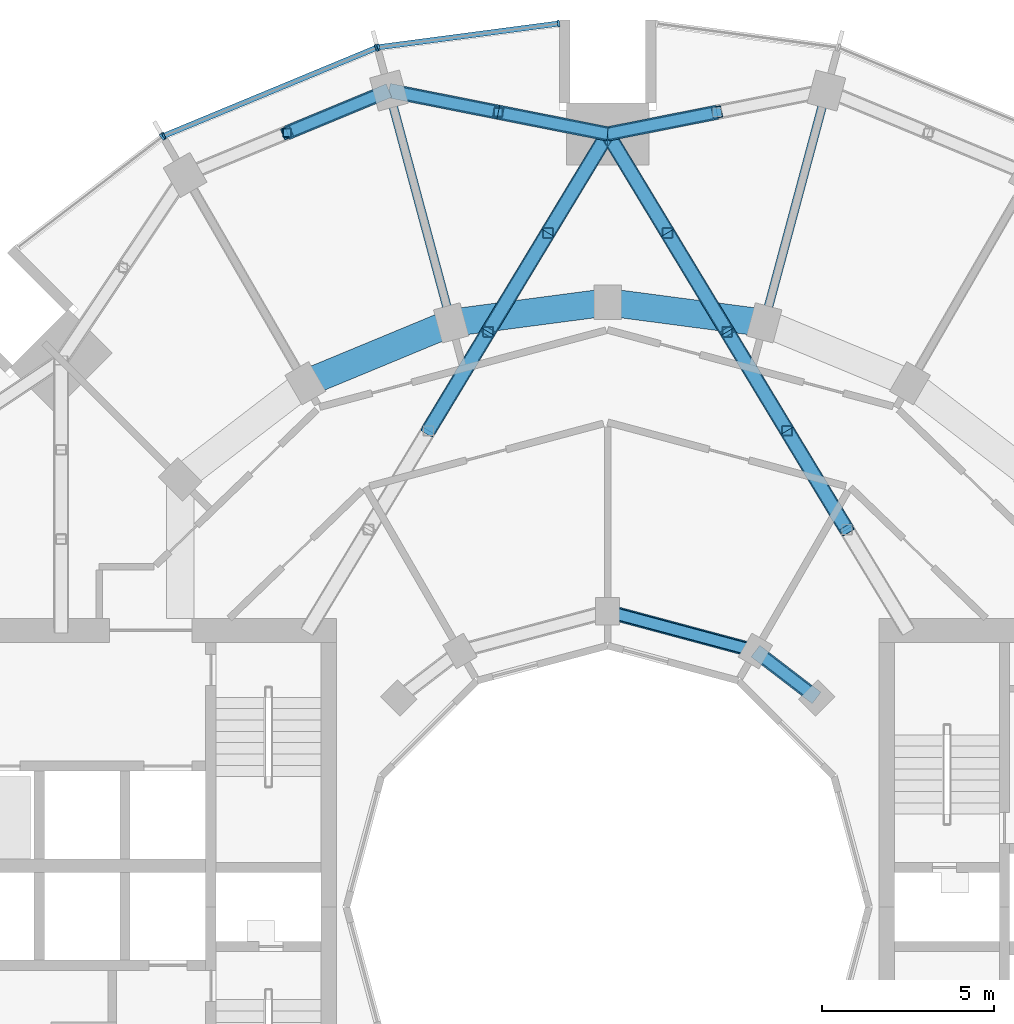
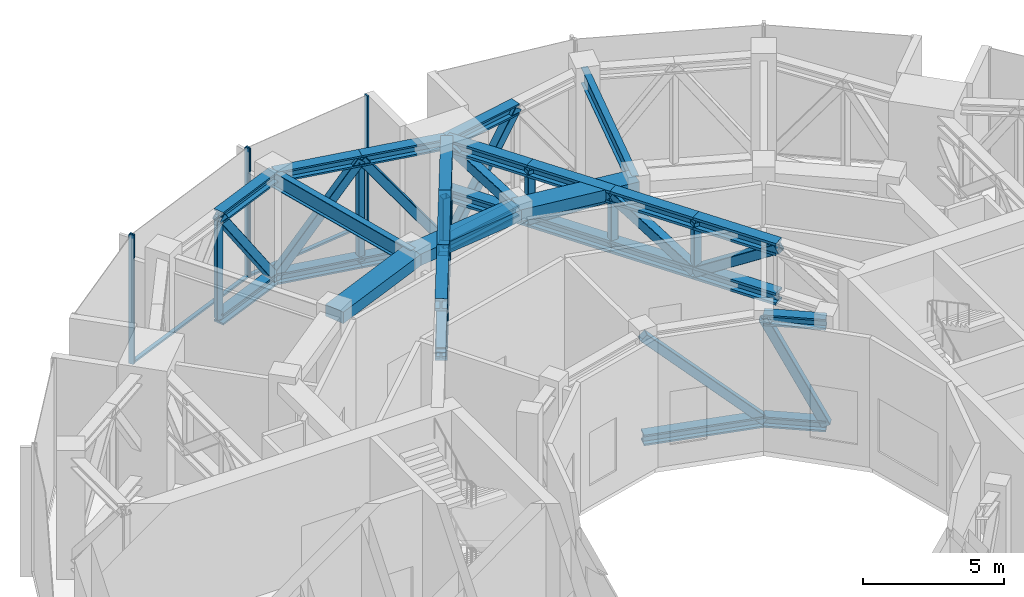
# One storey, part 8 of 18: 52 members, 5 beams, 3 elements without a shape of their own.
"""IFC4 building model written with IfcOpenShell, lengths in metres."""

from ifc_helpers import new_model, si_unit, direction, frame, origin, origin_2d, place, context, subcontext, project, spatial, rectangle, hollow_rectangle, i_section, extrude, material, layer, layer_set, material_profile, profile_set, type_object, element, aggregate, save


model = new_model("IFC4")

# Units and contexts
model_context = context("Model", 3, precision=1e-05, world=origin(), true_north=direction((0.0, 1.0)))
body_context = subcontext(model_context, "Body", "Model", "MODEL_VIEW")
ifc_project = project(units=[si_unit("LENGTHUNIT", "METRE"), si_unit("AREAUNIT", "SQUARE_METRE"), si_unit("VOLUMEUNIT", "CUBIC_METRE"), si_unit("PLANEANGLEUNIT", "RADIAN"), si_unit("MASSUNIT", "GRAM", prefix="KILO")], contexts=[model_context])

# Site, building, storey
site_placement = place(None, origin())
site = spatial("IfcSite", under=ifc_project, at=site_placement, CompositionType="ELEMENT")
building_placement = place(site_placement, origin())
building = spatial("IfcBuilding", under=site, at=building_placement, Name="Torre Brocal", CompositionType="ELEMENT")
storey_placement = place(building_placement, frame((0.0, 0.0, 109.0)))
storey = spatial("IfcBuildingStorey", under=building, at=storey_placement, Name="L25", CompositionType="ELEMENT", Elevation=109.0)

# Members
ifc_material_1 = material(Name="Steel A500 Grade C", Category="steel")
ifc_material_profile_1 = material_profile(ifc_material_1, hollow_rectangle(XDim=0.25390625, YDim=0.25390625, WallThickness=0.01171875, InnerFilletRadius=0.01171875, OuterFilletRadius=0.023681640625, at=origin_2d()), Name="HSS10X10X1/2")
ifc_profile_set_1 = profile_set([ifc_material_profile_1], Name="Steel A500 Grade C")
member_type_1 = type_object("IfcMemberType", Name="BELT 1 POST HSS10X10X1/2", PredefinedType="POST", material=ifc_profile_set_1)
for number, where, z_axis, x_axis, name in (
    (1, (76.81640625, 98.130859375, 0.63232421875), (0.0, 0.0, 1.0), (1.0, 0.0, 0.0), "Member BT1-P05"),
    (2, (70.66650390625, 97.532958984375, 0.63232421875), (0.0, 0.0, 1.0), (1.0, 0.0, 0.0), "Member BT1-P06"),
):
    element("IfcMember", number, at=place(storey_placement, frame(where, z_axis=z_axis, x_axis=x_axis)), inside=storey, type_object=member_type_1, Name=name, PredefinedType="POST", context=body_context, shape_type="SweptSolid", body=[
        extrude(hollow_rectangle(XDim=0.25390625, YDim=0.25390625, WallThickness=0.01171875, InnerFilletRadius=0.01171875, OuterFilletRadius=0.023681640625, at=origin_2d()), origin(), (0.0, 0.0, 1.0), 4.415283203125),
    ])

# Curtain wall, members
ifc_material_2 = material(Name="Aluminium and glass", Category="aluminium")
ifc_layer = layer(ifc_material_2, 0.199951171875)
ifc_layer_set = layer_set([ifc_layer], Name="Aluminium and glass")
curtain_wall_type = type_object("IfcCurtainWallType", Name="CW-1 CURTAIN WALL 5600 HIGH", PredefinedType="NOTDEFINED", material=ifc_layer_set)
curtain_wall_1_placement = place(storey_placement, origin())
curtain_wall_1 = element("IfcCurtainWall", 3, at=curtain_wall_1_placement, inside=storey, type_object=curtain_wall_type, Name="CW-1 RUN 7", PredefinedType="NOTDEFINED")
ifc_material_3 = material(Name="Aluminium, dark anodised", Category="aluminium")
ifc_material_profile_2 = material_profile(ifc_material_3, rectangle(XDim=0.199951171875, YDim=0.06005859375, at=origin_2d()), Name="CW-1 MULLION 60X200")
ifc_profile_set_2 = profile_set([ifc_material_profile_2], Name="Aluminium, dark anodised")
member_type_2 = type_object("IfcMemberType", Name="CW-1 MULLION 60X200", PredefinedType="MULLION", material=ifc_profile_set_2)
member_1_placement = place(storey_placement, frame((78.5703125, 100.7109375, 0.0), z_axis=(0.0, 0.0, 1.0), x_axis=(0.13052619222, -0.991444861374, 0.0)))
member_1 = element("IfcMember", 4, at=member_1_placement, type_object=member_type_2, Name="CW1-2 mullion 1", PredefinedType="MULLION", context=body_context, shape_type="SweptSolid", body=[
    extrude(rectangle(XDim=0.199951171875, YDim=0.06005859375, at=origin_2d()), origin(), (0.0, 0.0, 1.0), 5.60009765625),
])
member_2_placement = place(storey_placement, frame((73.32666015625, 100.0205078125, 0.0), z_axis=(0.0, 0.0, 1.0), x_axis=(0.13052619222, -0.991444861374, 0.0)))
member_2 = element("IfcMember", 5, at=member_2_placement, type_object=member_type_2, Name="CW1-2 mullion 2", PredefinedType="MULLION", context=body_context, shape_type="SweptSolid", body=[
    extrude(rectangle(XDim=0.199951171875, YDim=0.06005859375, at=origin_2d()), origin(), (0.0, 0.0, 1.0), 5.60009765625),
])

curtain_wall_2_placement = place(storey_placement, origin())
curtain_wall_2 = element("IfcCurtainWall", 6, at=curtain_wall_2_placement, inside=storey, type_object=curtain_wall_type, Name="CW-1 RUN 8", PredefinedType="NOTDEFINED")
member_3_placement = place(storey_placement, frame((73.26904296875, 100.005126953125, 0.0), z_axis=(0.0, 0.0, 1.0), x_axis=(0.382683432333, -0.923879532525, 0.0)))
member_3 = element("IfcMember", 7, at=member_3_placement, type_object=member_type_2, Name="CW1-2 mullion 1", PredefinedType="MULLION", context=body_context, shape_type="SweptSolid", body=[
    extrude(rectangle(XDim=0.199951171875, YDim=0.06005859375, at=origin_2d()), origin(), (0.0, 0.0, 1.0), 5.60009765625),
])
member_4_placement = place(storey_placement, frame((67.078125, 97.440673828125, 0.0), z_axis=(0.0, 0.0, 1.0), x_axis=(0.382683432333, -0.923879532525, 0.0)))
member_4 = element("IfcMember", 8, at=member_4_placement, type_object=member_type_2, Name="CW1-2 mullion 2", PredefinedType="MULLION", context=body_context, shape_type="SweptSolid", body=[
    extrude(rectangle(XDim=0.199951171875, YDim=0.06005859375, at=origin_2d()), origin(), (0.0, 0.0, 1.0), 5.60009765625),
])

# Curtain wall, member
curtain_wall_3_placement = place(storey_placement, origin())
curtain_wall_3 = element("IfcCurtainWall", 9, at=curtain_wall_3_placement, inside=storey, type_object=curtain_wall_type, Name="CW-1 RUN 9", PredefinedType="NOTDEFINED")
member_5_placement = place(storey_placement, frame((67.026611328125, 97.4111328125, 0.0), z_axis=(0.0, 0.0, 1.0), x_axis=(0.60876142905, -0.793353340259, 0.0)))
member_5 = element("IfcMember", 10, at=member_5_placement, type_object=member_type_2, Name="CW1-2 mullion 1", PredefinedType="MULLION", context=body_context, shape_type="SweptSolid", body=[
    extrude(rectangle(XDim=0.199951171875, YDim=0.06005859375, at=origin_2d()), origin(), (0.0, 0.0, 1.0), 5.60009765625),
])
aggregate(curtain_wall_3, [member_5])

# Member
ifc_material_4 = material(Name="Aluminium, dark anodised", Category="aluminium")
ifc_material_profile_3 = material_profile(ifc_material_4, rectangle(XDim=0.159912109375, YDim=0.080078125, at=origin_2d()), Name="CW-1 TRANSOM 160X80")
ifc_profile_set_3 = profile_set([ifc_material_profile_3], Name="Aluminium, dark anodised")
member_type_3 = type_object("IfcMemberType", Name="CW-1 TRANSOM 160X80", PredefinedType="USERDEFINED", material=ifc_profile_set_3)
member_6_placement = place(storey_placement, frame((78.54052734375, 100.70703125, 0.0400390625), z_axis=(-0.991442690863, -0.130542677827, 0.0), x_axis=(0.130542677827, -0.991442690863, 0.0)))
member_6 = element("IfcMember", 11, at=member_6_placement, type_object=member_type_3, Name="CW1-2 transom 1.1", ObjectType="TRANSOM", PredefinedType="USERDEFINED", context=body_context, shape_type="SweptSolid", body=[
    extrude(rectangle(XDim=0.159912109375, YDim=0.080078125, at=origin_2d()), origin(), (0.0, 0.0, 1.0), 5.22900390625),
])

aggregate(curtain_wall_1, [member_1, member_2, member_6])

member_7_placement = place(storey_placement, frame((73.241455078125, 99.99365234375, 0.0400390625), z_axis=(-0.923887344364, -0.38266457234, 0.0), x_axis=(0.38266457234, -0.923887344364, 0.0)))
member_7 = element("IfcMember", 12, at=member_7_placement, type_object=member_type_3, Name="CW1-2 transom 1.1", ObjectType="TRANSOM", PredefinedType="USERDEFINED", context=body_context, shape_type="SweptSolid", body=[
    extrude(rectangle(XDim=0.159912109375, YDim=0.080078125, at=origin_2d()), origin(), (0.0, 0.0, 1.0), 6.640869140625),
])

aggregate(curtain_wall_2, [member_3, member_4, member_7])

# Members
ifc_material_5 = material(Name="Steel A500 Grade C", Category="steel")
ifc_material_profile_4 = material_profile(ifc_material_5, hollow_rectangle(XDim=0.3046875, YDim=0.3046875, WallThickness=0.014892578125, InnerFilletRadius=0.014892578125, OuterFilletRadius=0.029541015625, at=origin_2d()), Name="HSS12X12X5/8")
ifc_profile_set_4 = profile_set([ifc_material_profile_4], Name="Steel A500 Grade C")
member_type_4 = type_object("IfcMemberType", Name="OUTRIGGER 1 POST HSS12X12X5/8", PredefinedType="POST", material=ifc_profile_set_4)
for number, where, z_axis, x_axis, name in (
    (13, (85.219970703125, 88.860107421875, 2.865478515625), (0.0, 0.0, 1.0), (1.0, 0.0, 0.0), "Member OT1-P04"),
    (14, (83.47998046875, 91.739990234375, 2.865478515625), (0.0, 0.0, 1.0), (1.0, 0.0, 0.0), "Member OT1-P05"),
    (15, (81.739990234375, 94.6201171875, 2.865478515625), (0.0, 0.0, 1.0), (1.0, 0.0, 0.0), "Member OT1-P06"),
    (16, (76.52001953125, 91.739990234375, 2.865478515625), (0.0, 0.0, 1.0), (1.0, 0.0, 0.0), "Member OT1-P09"),
    (17, (78.260009765625, 94.6201171875, 2.865478515625), (0.0, 0.0, 1.0), (1.0, 0.0, 0.0), "Member OT1-P10"),
):
    element("IfcMember", number, at=place(storey_placement, frame(where, z_axis=z_axis, x_axis=x_axis)), inside=storey, type_object=member_type_4, Name=name, PredefinedType="POST", context=body_context, shape_type="SweptSolid", body=[
        extrude(hollow_rectangle(XDim=0.3046875, YDim=0.3046875, WallThickness=0.014892578125, InnerFilletRadius=0.014892578125, OuterFilletRadius=0.029541015625, at=origin_2d()), origin(), (0.0, 0.0, 1.0), 2.149169921875),
    ])

# Beams
ifc_material_6 = material(Name="Steel A992", Category="steel")
ifc_material_profile_5 = material_profile(ifc_material_6, i_section(OverallWidth=0.256591796875, OverallDepth=0.693359375, WebThickness=0.014404296875, FlangeThickness=0.023681640625, at=origin_2d()), Name="W27X114")
ifc_profile_set_5 = profile_set([ifc_material_profile_5], Name="Steel A992")
beam_type_1 = type_object("IfcBeamType", Name="PLANT FLOOR BEAM TOP 5280 W27X114", PredefinedType="BEAM", material=ifc_profile_set_5)
for number, where, z_axis, x_axis, name in (
    (18, (84.55517578125, 92.000244140625, 4.933349609375), (0.258823832372, 0.965924543531, 0.0), (-0.965924543531, 0.258823832372, 0.0), "Beam SF-01"),
    (19, (75.44482421875, 92.000244140625, 4.933349609375), (-0.258823832372, 0.965924543531, 0.0), (-0.965924543531, -0.258823832372, 0.0), "Beam SF-01"),
):
    element("IfcBeam", number, at=place(storey_placement, frame(where, z_axis=z_axis, x_axis=x_axis)), inside=storey, type_object=beam_type_1, Name=name, PredefinedType="BEAM", context=body_context, shape_type="SweptSolid", body=[
        extrude(i_section(OverallWidth=0.256591796875, OverallDepth=0.693359375, WebThickness=0.014404296875, FlangeThickness=0.023681640625, at=origin_2d()), origin(), (0.0, 0.0, 1.0), 7.0),
    ])
ifc_material_7 = material(Name="Concrete C50", Category="concrete")
ifc_material_profile_6 = material_profile(ifc_material_7, rectangle(XDim=0.800048828125, YDim=0.5, at=origin_2d()), Name="RC 800X500")
ifc_profile_set_6 = profile_set([ifc_material_profile_6], Name="Concrete C50")
beam_type_2 = type_object("IfcBeamType", Name="RC BEAM 800X500 C50 TOP 5280", PredefinedType="BEAM", material=ifc_profile_set_6)
for number, where, z_axis, x_axis, name in (
    (20, (84.55517578125, 92.000244140625, 5.030029296875), (-0.991440544449, 0.130558978332, 0.0), (-0.130558978332, -0.991440544449, 0.0), "Beam BT-27"),
    (21, (80.0, 92.60009765625, 5.030029296875), (-0.991440544449, -0.130558978332, 0.0), (0.130558978332, -0.991440544449, 0.0), "Beam BT-27"),
):
    element("IfcBeam", number, at=place(storey_placement, frame(where, z_axis=z_axis, x_axis=x_axis)), inside=storey, type_object=beam_type_2, Name=name, PredefinedType="BEAM", context=body_context, shape_type="SweptSolid", body=[
        extrude(rectangle(XDim=0.800048828125, YDim=0.5, at=origin_2d()), origin(), (0.0, 0.0, 1.0), 4.594482421875),
    ])
beam_placement = place(storey_placement, frame((75.44482421875, 92.000244140625, 5.030029296875), z_axis=(-0.923878240166, -0.382686552348, 0.0), x_axis=(0.382686552348, -0.923878240166, 0.0)))
element("IfcBeam", 22, at=beam_placement, inside=storey, type_object=beam_type_2, Name="Beam BT-27", PredefinedType="BEAM", context=body_context, shape_type="SweptSolid", body=[
    extrude(rectangle(XDim=0.800048828125, YDim=0.5, at=origin_2d()), origin(), (0.0, 0.0, 1.0), 4.5947265625),
])

# Members
ifc_material_8 = material(Name="Steel A992", Category="steel")
ifc_material_profile_7 = material_profile(ifc_material_8, i_section(OverallWidth=0.421630859375, OverallDepth=0.46484375, WebThickness=0.044921875, FlangeThickness=0.072509765625, at=origin_2d()), Name="W14X398")
ifc_profile_set_7 = profile_set([ifc_material_profile_7], Name="Steel A992")
member_type_5 = type_object("IfcMemberType", Name="TRUSS BOTTOM CHORD W14X398", PredefinedType="CHORD", material=ifc_profile_set_7)
for number, where, z_axis, x_axis, name in (
    (23, (83.18359375, 98.130859375, 0.63232421875), (-0.980926328685, -0.194379879856, 0.0), (0.194379879856, -0.980926328685, 0.0), "Member BT1-C16"),
    (24, (80.0, 97.5, 0.63232421875), (-0.980926328685, 0.194379879856, 0.0), (-0.194379879856, -0.980926328685, 0.0), "Member BT1-C18"),
):
    element("IfcMember", number, at=place(storey_placement, frame(where, z_axis=z_axis, x_axis=x_axis)), inside=storey, type_object=member_type_5, Name=name, PredefinedType="CHORD", context=body_context, shape_type="SweptSolid", body=[
        extrude(i_section(OverallWidth=0.421630859375, OverallDepth=0.46484375, WebThickness=0.044921875, FlangeThickness=0.072509765625, at=origin_2d()), origin(), (0.0, 0.0, 1.0), 3.24560546875),
    ])
member_8_placement = place(storey_placement, frame((76.81640625, 98.130859375, 0.63232421875), z_axis=(-0.980923486126, 0.194394224108, 0.0), x_axis=(-0.194394224108, -0.980923486126, 0.0)))
element("IfcMember", 25, at=member_8_placement, inside=storey, type_object=member_type_5, Name="Member BT1-C20", PredefinedType="CHORD", context=body_context, shape_type="SweptSolid", body=[
    extrude(i_section(OverallWidth=0.421630859375, OverallDepth=0.46484375, WebThickness=0.044921875, FlangeThickness=0.072509765625, at=origin_2d()), origin(), (0.0, 0.0, 1.0), 3.245361328125),
])
member_9_placement = place(storey_placement, frame((73.633056640625, 98.76171875, 0.63232421875), z_axis=(-0.923882462513, -0.382676358639, 0.0), x_axis=(0.382676358639, -0.923882462513, 0.0)))
element("IfcMember", 26, at=member_9_placement, inside=storey, type_object=member_type_5, Name="Member BT1-C22", PredefinedType="CHORD", context=body_context, shape_type="SweptSolid", body=[
    extrude(i_section(OverallWidth=0.421630859375, OverallDepth=0.46484375, WebThickness=0.044921875, FlangeThickness=0.072509765625, at=origin_2d()), origin(), (0.0, 0.0, 1.0), 3.2109375),
])
member_10_placement = place(storey_placement, frame((86.0810546875, 81.0810546875, 0.63232421875), z_axis=(-0.793334976885, 0.608785359918, 0.0), x_axis=(-0.608785359918, -0.793334976885, 0.0)))
element("IfcMember", 27, at=member_10_placement, inside=storey, type_object=member_type_5, Name="Member BT1-C74", PredefinedType="CHORD", context=body_context, shape_type="SweptSolid", body=[
    extrude(i_section(OverallWidth=0.421630859375, OverallDepth=0.46484375, WebThickness=0.044921875, FlangeThickness=0.072509765625, at=origin_2d()), origin(), (0.0, 0.0, 1.0), 2.244873046875),
])
member_11_placement = place(storey_placement, frame((84.300048828125, 82.44775390625, 0.63232421875), z_axis=(-0.965917450527, 0.25885030185, 0.0), x_axis=(-0.25885030185, -0.965917450527, 0.0)))
element("IfcMember", 28, at=member_11_placement, inside=storey, type_object=member_type_5, Name="Member BT1-C76", PredefinedType="CHORD", context=body_context, shape_type="SweptSolid", body=[
    extrude(i_section(OverallWidth=0.421630859375, OverallDepth=0.46484375, WebThickness=0.044921875, FlangeThickness=0.072509765625, at=origin_2d()), origin(), (0.0, 0.0, 1.0), 4.45166015625),
])
ifc_material_9 = material(Name="Steel A992", Category="steel")
ifc_material_profile_8 = material_profile(ifc_material_9, i_section(OverallWidth=0.44189453125, OverallDepth=0.531005859375, WebThickness=0.06591796875, FlangeThickness=0.105712890625, at=origin_2d()), Name="W14X605")
ifc_profile_set_8 = profile_set([ifc_material_profile_8], Name="Steel A992")
member_type_6 = type_object("IfcMemberType", Name="TRUSS BOTTOM CHORD W14X605", PredefinedType="CHORD", material=ifc_profile_set_8)
member_12_placement = place(storey_placement, frame((86.9599609375, 85.97998046875, 2.865478515625), z_axis=(-0.517096814817, 0.855926915167, 0.0), x_axis=(-0.855926915167, -0.517096814817, 0.0)))
element("IfcMember", 29, at=member_12_placement, inside=storey, type_object=member_type_6, Name="Member OT1-C10", PredefinedType="CHORD", context=body_context, shape_type="SweptSolid", body=[
    extrude(i_section(OverallWidth=0.44189453125, OverallDepth=0.531005859375, WebThickness=0.06591796875, FlangeThickness=0.105712890625, at=origin_2d()), origin(), (0.0, 0.0, 1.0), 3.364990234375),
])
member_13_placement = place(storey_placement, frame((85.219970703125, 88.860107421875, 2.865478515625), z_axis=(-0.517128928912, 0.855907513042, 0.0), x_axis=(-0.855907513042, -0.517128928912, 0.0)))
element("IfcMember", 30, at=member_13_placement, inside=storey, type_object=member_type_6, Name="Member OT1-C12", PredefinedType="CHORD", context=body_context, shape_type="SweptSolid", body=[
    extrude(i_section(OverallWidth=0.44189453125, OverallDepth=0.531005859375, WebThickness=0.06591796875, FlangeThickness=0.105712890625, at=origin_2d()), origin(), (0.0, 0.0, 1.0), 3.36474609375),
])
member_14_placement = place(storey_placement, frame((83.47998046875, 91.739990234375, 2.865478515625), z_axis=(-0.517096814817, 0.855926915167, 0.0), x_axis=(-0.855926915167, -0.517096814817, 0.0)))
element("IfcMember", 31, at=member_14_placement, inside=storey, type_object=member_type_6, Name="Member OT1-C14", PredefinedType="CHORD", context=body_context, shape_type="SweptSolid", body=[
    extrude(i_section(OverallWidth=0.44189453125, OverallDepth=0.531005859375, WebThickness=0.06591796875, FlangeThickness=0.105712890625, at=origin_2d()), origin(), (0.0, 0.0, 1.0), 3.364990234375),
])
for number, where, z_axis, x_axis, name in (
    (32, (81.739990234375, 94.6201171875, 2.865478515625), (-0.517128928912, 0.855907513042, 0.0), (-0.855907513042, -0.517128928912, 0.0), "Member OT1-C16"),
    (33, (74.780029296875, 88.860107421875, 2.865478515625), (0.517128928912, 0.855907513042, 0.0), (-0.855907513042, 0.517128928912, 0.0), "Member OT1-C22"),
):
    element("IfcMember", number, at=place(storey_placement, frame(where, z_axis=z_axis, x_axis=x_axis)), inside=storey, type_object=member_type_6, Name=name, PredefinedType="CHORD", context=body_context, shape_type="SweptSolid", body=[
        extrude(i_section(OverallWidth=0.44189453125, OverallDepth=0.531005859375, WebThickness=0.06591796875, FlangeThickness=0.105712890625, at=origin_2d()), origin(), (0.0, 0.0, 1.0), 3.36474609375),
    ])
member_15_placement = place(storey_placement, frame((76.52001953125, 91.739990234375, 2.865478515625), z_axis=(0.517096814817, 0.855926915167, 0.0), x_axis=(-0.855926915167, 0.517096814817, 0.0)))
element("IfcMember", 34, at=member_15_placement, inside=storey, type_object=member_type_6, Name="Member OT1-C24", PredefinedType="CHORD", context=body_context, shape_type="SweptSolid", body=[
    extrude(i_section(OverallWidth=0.44189453125, OverallDepth=0.531005859375, WebThickness=0.06591796875, FlangeThickness=0.105712890625, at=origin_2d()), origin(), (0.0, 0.0, 1.0), 3.364990234375),
])
member_16_placement = place(storey_placement, frame((78.260009765625, 94.6201171875, 2.865478515625), z_axis=(0.517128928912, 0.855907513042, 0.0), x_axis=(-0.855907513042, 0.517128928912, 0.0)))
element("IfcMember", 35, at=member_16_placement, inside=storey, type_object=member_type_6, Name="Member OT1-C26", PredefinedType="CHORD", context=body_context, shape_type="SweptSolid", body=[
    extrude(i_section(OverallWidth=0.44189453125, OverallDepth=0.531005859375, WebThickness=0.06591796875, FlangeThickness=0.105712890625, at=origin_2d()), origin(), (0.0, 0.0, 1.0), 3.36474609375),
])
ifc_material_10 = material(Name="Steel A500 Grade C", Category="steel")
ifc_material_profile_9 = material_profile(ifc_material_10, hollow_rectangle(XDim=0.355712890625, YDim=0.355712890625, WallThickness=0.014892578125, InnerFilletRadius=0.014892578125, OuterFilletRadius=0.029541015625, at=origin_2d()), Name="HSS14X14X5/8")
ifc_profile_set_9 = profile_set([ifc_material_profile_9], Name="Steel A500 Grade C")
member_type_7 = type_object("IfcMemberType", Name="TRUSS DIAGONAL HSS14X14X5/8", PredefinedType="BRACE", material=ifc_profile_set_9)
for number, where, z_axis, x_axis, name in (
    (36, (83.18359375, 98.130859375, 5.047607421875), (-0.580971188559, -0.115124965586, -0.805741100083), (0.194379879856, -0.980926328685, 0.0), "Member BT1-D08"),
    (37, (80.0, 97.5, 0.63232421875), (-0.580971188559, 0.115124965586, 0.805741100083), (-0.194379879856, -0.980926328685, 0.0), "Member BT1-D09"),
    (38, (76.81640625, 98.130859375, 5.047607421875), (-0.580941672273, 0.115127945483, -0.805761955906), (-0.194394224108, -0.980923486126, 0.0), "Member BT1-D10"),
):
    element("IfcMember", number, at=place(storey_placement, frame(where, z_axis=z_axis, x_axis=x_axis)), inside=storey, type_object=member_type_7, Name=name, PredefinedType="BRACE", context=body_context, shape_type="SweptSolid", body=[
        extrude(hollow_rectangle(XDim=0.355712890625, YDim=0.355712890625, WallThickness=0.014892578125, InnerFilletRadius=0.014892578125, OuterFilletRadius=0.029541015625, at=origin_2d()), origin(), (0.0, 0.0, 1.0), 5.479736328125),
    ])
member_17_placement = place(storey_placement, frame((73.633056640625, 98.76171875, 0.63232421875), z_axis=(-0.543384725643, -0.225072448701, 0.80874930156), x_axis=(0.382676358639, -0.923882462513, 0.0)))
element("IfcMember", 39, at=member_17_placement, inside=storey, type_object=member_type_7, Name="Member BT1-D11", PredefinedType="BRACE", context=body_context, shape_type="SweptSolid", body=[
    extrude(hollow_rectangle(XDim=0.355712890625, YDim=0.355712890625, WallThickness=0.014892578125, InnerFilletRadius=0.014892578125, OuterFilletRadius=0.029541015625, at=origin_2d()), origin(), (0.0, 0.0, 1.0), 5.45947265625),
])
member_18_placement = place(storey_placement, frame((86.0810546875, 81.0810546875, 0.63232421875), z_axis=(-0.359563901376, 0.275920318012, 0.891393167427), x_axis=(-0.608785359918, -0.793334976885, 0.0)))
element("IfcMember", 40, at=member_18_placement, inside=storey, type_object=member_type_7, Name="Member BT1-D37", PredefinedType="BRACE", context=body_context, shape_type="SweptSolid", body=[
    extrude(hollow_rectangle(XDim=0.355712890625, YDim=0.355712890625, WallThickness=0.014892578125, InnerFilletRadius=0.014892578125, OuterFilletRadius=0.029541015625, at=origin_2d()), origin(), (0.0, 0.0, 1.0), 4.953125),
])
member_19_placement = place(storey_placement, frame((84.300048828125, 82.44775390625, 0.63232421875), z_axis=(-0.685811973326, 0.183786550508, 0.704190628377), x_axis=(-0.25885030185, -0.965917450527, 0.0)))
element("IfcMember", 41, at=member_19_placement, inside=storey, type_object=member_type_7, Name="Member BT1-D38", PredefinedType="BRACE", context=body_context, shape_type="SweptSolid", body=[
    extrude(hollow_rectangle(XDim=0.355712890625, YDim=0.355712890625, WallThickness=0.014892578125, InnerFilletRadius=0.014892578125, OuterFilletRadius=0.029541015625, at=origin_2d()), origin(), (0.0, 0.0, 1.0), 6.27001953125),
])
ifc_material_11 = material(Name="Steel A500 Grade C", Category="steel")
ifc_material_profile_10 = material_profile(ifc_material_11, hollow_rectangle(XDim=0.406494140625, YDim=0.406494140625, WallThickness=0.017578125, InnerFilletRadius=0.017578125, OuterFilletRadius=0.035400390625, at=origin_2d()), Name="HSS16X16X3/4")
ifc_profile_set_10 = profile_set([ifc_material_profile_10], Name="Steel A500 Grade C")
member_type_8 = type_object("IfcMemberType", Name="TRUSS DIAGONAL HSS16X16X3/4", PredefinedType="BRACE", material=ifc_profile_set_10)
member_20_placement = place(storey_placement, frame((86.9599609375, 85.97998046875, 5.0146484375), z_axis=(-0.435793217596, 0.721348756557, -0.538275248281), x_axis=(-0.855926915167, -0.517096814817, 0.0)))
element("IfcMember", 42, at=member_20_placement, inside=storey, type_object=member_type_8, Name="Member OT1-D05", PredefinedType="BRACE", context=body_context, shape_type="SweptSolid", body=[
    extrude(hollow_rectangle(XDim=0.406494140625, YDim=0.406494140625, WallThickness=0.017578125, InnerFilletRadius=0.017578125, OuterFilletRadius=0.035400390625, at=origin_2d()), origin(), (0.0, 0.0, 1.0), 3.99267578125),
])
member_21_placement = place(storey_placement, frame((85.219970703125, 88.860107421875, 2.865478515625), z_axis=(-0.435812440092, 0.72131942519, 0.538298991179), x_axis=(-0.855907513042, -0.517128928912, 0.0)))
element("IfcMember", 43, at=member_21_placement, inside=storey, type_object=member_type_8, Name="Member OT1-D06", PredefinedType="BRACE", context=body_context, shape_type="SweptSolid", body=[
    extrude(hollow_rectangle(XDim=0.406494140625, YDim=0.406494140625, WallThickness=0.017578125, InnerFilletRadius=0.017578125, OuterFilletRadius=0.035400390625, at=origin_2d()), origin(), (0.0, 0.0, 1.0), 3.992431640625),
])
member_22_placement = place(storey_placement, frame((83.47998046875, 91.739990234375, 5.0146484375), z_axis=(-0.435793217596, 0.721348756557, -0.538275248281), x_axis=(-0.855926915167, -0.517096814817, 0.0)))
element("IfcMember", 44, at=member_22_placement, inside=storey, type_object=member_type_8, Name="Member OT1-D07", PredefinedType="BRACE", context=body_context, shape_type="SweptSolid", body=[
    extrude(hollow_rectangle(XDim=0.406494140625, YDim=0.406494140625, WallThickness=0.017578125, InnerFilletRadius=0.017578125, OuterFilletRadius=0.035400390625, at=origin_2d()), origin(), (0.0, 0.0, 1.0), 3.99267578125),
])
for number, where, z_axis, x_axis, name in (
    (45, (81.739990234375, 94.6201171875, 2.865478515625), (-0.435812440092, 0.72131942519, 0.538298991179), (-0.855907513042, -0.517128928912, 0.0), "Member OT1-D08"),
    (46, (74.780029296875, 88.860107421875, 2.865478515625), (0.435812440092, 0.72131942519, 0.538298991179), (-0.855907513042, 0.517128928912, 0.0), "Member OT1-D11"),
):
    element("IfcMember", number, at=place(storey_placement, frame(where, z_axis=z_axis, x_axis=x_axis)), inside=storey, type_object=member_type_8, Name=name, PredefinedType="BRACE", context=body_context, shape_type="SweptSolid", body=[
        extrude(hollow_rectangle(XDim=0.406494140625, YDim=0.406494140625, WallThickness=0.017578125, InnerFilletRadius=0.017578125, OuterFilletRadius=0.035400390625, at=origin_2d()), origin(), (0.0, 0.0, 1.0), 3.992431640625),
    ])
member_23_placement = place(storey_placement, frame((76.52001953125, 91.739990234375, 5.0146484375), z_axis=(0.435793217596, 0.721348756557, -0.538275248281), x_axis=(-0.855926915167, 0.517096814817, 0.0)))
element("IfcMember", 47, at=member_23_placement, inside=storey, type_object=member_type_8, Name="Member OT1-D12", PredefinedType="BRACE", context=body_context, shape_type="SweptSolid", body=[
    extrude(hollow_rectangle(XDim=0.406494140625, YDim=0.406494140625, WallThickness=0.017578125, InnerFilletRadius=0.017578125, OuterFilletRadius=0.035400390625, at=origin_2d()), origin(), (0.0, 0.0, 1.0), 3.99267578125),
])
member_24_placement = place(storey_placement, frame((78.260009765625, 94.6201171875, 2.865478515625), z_axis=(0.435812440092, 0.72131942519, 0.538298991179), x_axis=(-0.855907513042, 0.517128928912, 0.0)))
element("IfcMember", 48, at=member_24_placement, inside=storey, type_object=member_type_8, Name="Member OT1-D13", PredefinedType="BRACE", context=body_context, shape_type="SweptSolid", body=[
    extrude(hollow_rectangle(XDim=0.406494140625, YDim=0.406494140625, WallThickness=0.017578125, InnerFilletRadius=0.017578125, OuterFilletRadius=0.035400390625, at=origin_2d()), origin(), (0.0, 0.0, 1.0), 3.992431640625),
])
ifc_material_12 = material(Name="Steel A992", Category="steel")
ifc_material_profile_11 = material_profile(ifc_material_12, i_section(OverallWidth=0.421630859375, OverallDepth=0.46484375, WebThickness=0.044921875, FlangeThickness=0.072509765625, at=origin_2d()), Name="W14X398")
ifc_profile_set_11 = profile_set([ifc_material_profile_11], Name="Steel A992")
member_type_9 = type_object("IfcMemberType", Name="TRUSS TOP CHORD W14X398", PredefinedType="CHORD", material=ifc_profile_set_11)
for number, where, z_axis, x_axis, name in (
    (49, (83.18359375, 98.130859375, 5.047607421875), (-0.980926328685, -0.194379879856, 0.0), (0.194379879856, -0.980926328685, 0.0), "Member BT1-C15"),
    (50, (80.0, 97.5, 5.047607421875), (-0.980926328685, 0.194379879856, 0.0), (-0.194379879856, -0.980926328685, 0.0), "Member BT1-C17"),
):
    element("IfcMember", number, at=place(storey_placement, frame(where, z_axis=z_axis, x_axis=x_axis)), inside=storey, type_object=member_type_9, Name=name, PredefinedType="CHORD", context=body_context, shape_type="SweptSolid", body=[
        extrude(i_section(OverallWidth=0.421630859375, OverallDepth=0.46484375, WebThickness=0.044921875, FlangeThickness=0.072509765625, at=origin_2d()), origin(), (0.0, 0.0, 1.0), 3.24560546875),
    ])
member_25_placement = place(storey_placement, frame((76.81640625, 98.130859375, 5.047607421875), z_axis=(-0.980923486126, 0.194394224108, 0.0), x_axis=(-0.194394224108, -0.980923486126, 0.0)))
element("IfcMember", 51, at=member_25_placement, inside=storey, type_object=member_type_9, Name="Member BT1-C19", PredefinedType="CHORD", context=body_context, shape_type="SweptSolid", body=[
    extrude(i_section(OverallWidth=0.421630859375, OverallDepth=0.46484375, WebThickness=0.044921875, FlangeThickness=0.072509765625, at=origin_2d()), origin(), (0.0, 0.0, 1.0), 3.245361328125),
])
member_26_placement = place(storey_placement, frame((73.633056640625, 98.76171875, 5.047607421875), z_axis=(-0.923882462513, -0.382676358639, 0.0), x_axis=(0.382676358639, -0.923882462513, 0.0)))
element("IfcMember", 52, at=member_26_placement, inside=storey, type_object=member_type_9, Name="Member BT1-C21", PredefinedType="CHORD", context=body_context, shape_type="SweptSolid", body=[
    extrude(i_section(OverallWidth=0.421630859375, OverallDepth=0.46484375, WebThickness=0.044921875, FlangeThickness=0.072509765625, at=origin_2d()), origin(), (0.0, 0.0, 1.0), 3.2109375),
])
member_27_placement = place(storey_placement, frame((86.0810546875, 81.0810546875, 5.047607421875), z_axis=(-0.793334976885, 0.608785359918, 0.0), x_axis=(-0.608785359918, -0.793334976885, 0.0)))
element("IfcMember", 53, at=member_27_placement, inside=storey, type_object=member_type_9, Name="Member BT1-C73", PredefinedType="CHORD", context=body_context, shape_type="SweptSolid", body=[
    extrude(i_section(OverallWidth=0.421630859375, OverallDepth=0.46484375, WebThickness=0.044921875, FlangeThickness=0.072509765625, at=origin_2d()), origin(), (0.0, 0.0, 1.0), 2.244873046875),
])
ifc_material_13 = material(Name="Steel A992", Category="steel")
ifc_material_profile_12 = material_profile(ifc_material_13, i_section(OverallWidth=0.44189453125, OverallDepth=0.531005859375, WebThickness=0.06591796875, FlangeThickness=0.105712890625, at=origin_2d()), Name="W14X605")
ifc_profile_set_12 = profile_set([ifc_material_profile_12], Name="Steel A992")
member_type_10 = type_object("IfcMemberType", Name="TRUSS TOP CHORD W14X605", PredefinedType="CHORD", material=ifc_profile_set_12)
member_28_placement = place(storey_placement, frame((86.9599609375, 85.97998046875, 5.0146484375), z_axis=(-0.517096814817, 0.855926915167, 0.0), x_axis=(-0.855926915167, -0.517096814817, 0.0)))
element("IfcMember", 54, at=member_28_placement, inside=storey, type_object=member_type_10, Name="Member OT1-C09", PredefinedType="CHORD", context=body_context, shape_type="SweptSolid", body=[
    extrude(i_section(OverallWidth=0.44189453125, OverallDepth=0.531005859375, WebThickness=0.06591796875, FlangeThickness=0.105712890625, at=origin_2d()), origin(), (0.0, 0.0, 1.0), 3.364990234375),
])
member_29_placement = place(storey_placement, frame((85.219970703125, 88.860107421875, 5.0146484375), z_axis=(-0.517128928912, 0.855907513042, 0.0), x_axis=(-0.855907513042, -0.517128928912, 0.0)))
element("IfcMember", 55, at=member_29_placement, inside=storey, type_object=member_type_10, Name="Member OT1-C11", PredefinedType="CHORD", context=body_context, shape_type="SweptSolid", body=[
    extrude(i_section(OverallWidth=0.44189453125, OverallDepth=0.531005859375, WebThickness=0.06591796875, FlangeThickness=0.105712890625, at=origin_2d()), origin(), (0.0, 0.0, 1.0), 3.36474609375),
])
member_30_placement = place(storey_placement, frame((83.47998046875, 91.739990234375, 5.0146484375), z_axis=(-0.517096814817, 0.855926915167, 0.0), x_axis=(-0.855926915167, -0.517096814817, 0.0)))
element("IfcMember", 56, at=member_30_placement, inside=storey, type_object=member_type_10, Name="Member OT1-C13", PredefinedType="CHORD", context=body_context, shape_type="SweptSolid", body=[
    extrude(i_section(OverallWidth=0.44189453125, OverallDepth=0.531005859375, WebThickness=0.06591796875, FlangeThickness=0.105712890625, at=origin_2d()), origin(), (0.0, 0.0, 1.0), 3.364990234375),
])
for number, where, z_axis, x_axis, name in (
    (57, (81.739990234375, 94.6201171875, 5.0146484375), (-0.517128928912, 0.855907513042, 0.0), (-0.855907513042, -0.517128928912, 0.0), "Member OT1-C15"),
    (58, (74.780029296875, 88.860107421875, 5.0146484375), (0.517128928912, 0.855907513042, 0.0), (-0.855907513042, 0.517128928912, 0.0), "Member OT1-C21"),
):
    element("IfcMember", number, at=place(storey_placement, frame(where, z_axis=z_axis, x_axis=x_axis)), inside=storey, type_object=member_type_10, Name=name, PredefinedType="CHORD", context=body_context, shape_type="SweptSolid", body=[
        extrude(i_section(OverallWidth=0.44189453125, OverallDepth=0.531005859375, WebThickness=0.06591796875, FlangeThickness=0.105712890625, at=origin_2d()), origin(), (0.0, 0.0, 1.0), 3.36474609375),
    ])
member_31_placement = place(storey_placement, frame((76.52001953125, 91.739990234375, 5.0146484375), z_axis=(0.517096814817, 0.855926915167, 0.0), x_axis=(-0.855926915167, 0.517096814817, 0.0)))
element("IfcMember", 59, at=member_31_placement, inside=storey, type_object=member_type_10, Name="Member OT1-C23", PredefinedType="CHORD", context=body_context, shape_type="SweptSolid", body=[
    extrude(i_section(OverallWidth=0.44189453125, OverallDepth=0.531005859375, WebThickness=0.06591796875, FlangeThickness=0.105712890625, at=origin_2d()), origin(), (0.0, 0.0, 1.0), 3.364990234375),
])
member_32_placement = place(storey_placement, frame((78.260009765625, 94.6201171875, 5.0146484375), z_axis=(0.517128928912, 0.855907513042, 0.0), x_axis=(-0.855907513042, 0.517128928912, 0.0)))
element("IfcMember", 60, at=member_32_placement, inside=storey, type_object=member_type_10, Name="Member OT1-C25", PredefinedType="CHORD", context=body_context, shape_type="SweptSolid", body=[
    extrude(i_section(OverallWidth=0.44189453125, OverallDepth=0.531005859375, WebThickness=0.06591796875, FlangeThickness=0.105712890625, at=origin_2d()), origin(), (0.0, 0.0, 1.0), 3.36474609375),
])

save(model, "model.ifc")
